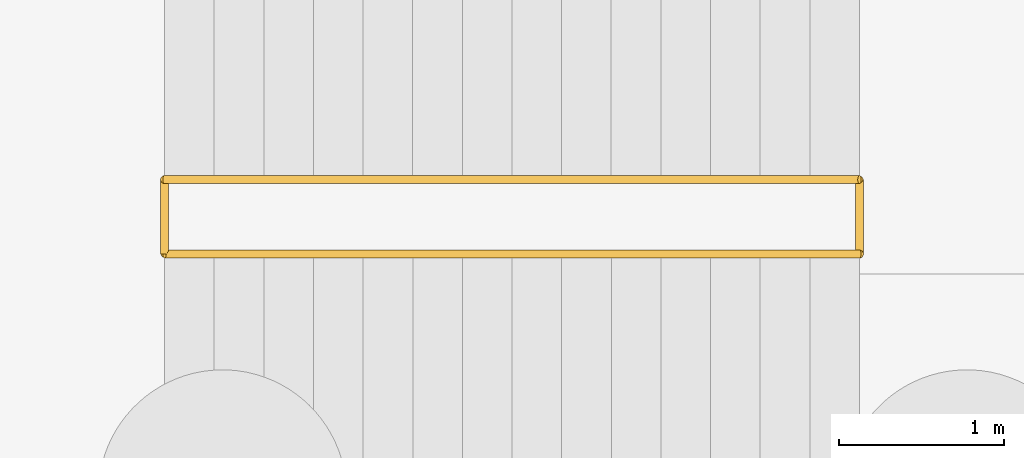
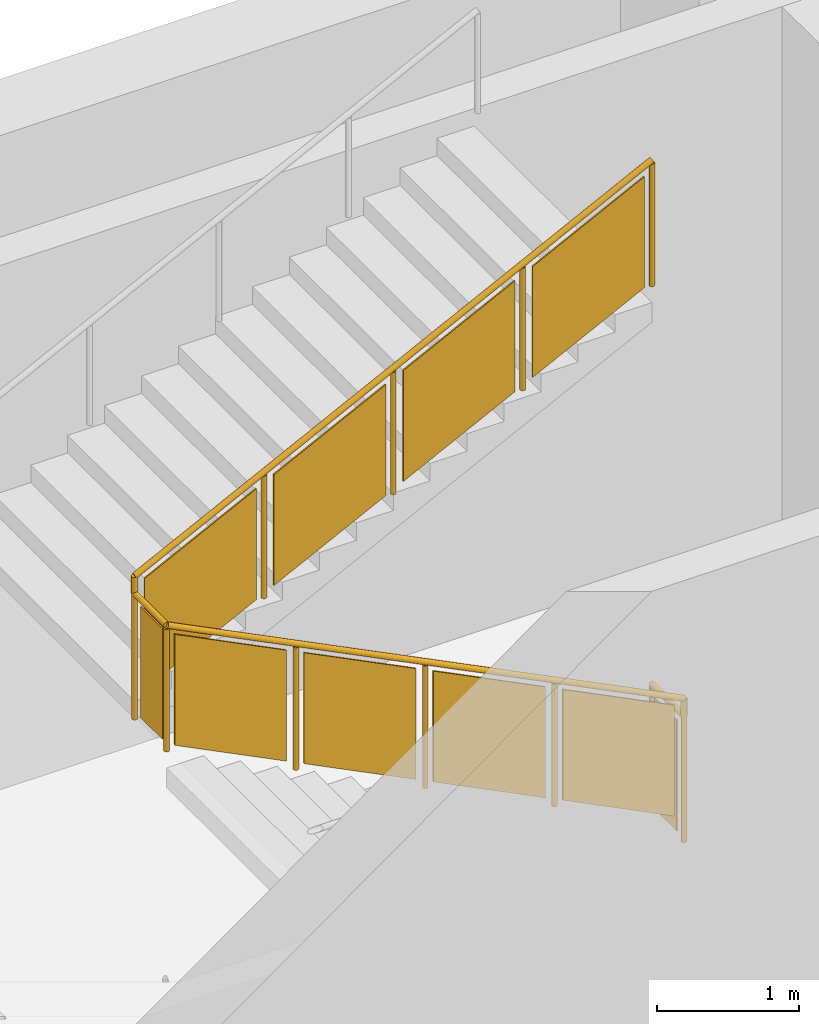
# One storey, part 10 of 11: 1 railing.
"""IFC4 building model written with IfcOpenShell, lengths in metres."""

import ifcopenshell
import ifcopenshell.guid

model = None  # the IFC model being written
_history = None  # IfcOwnerHistory: only IFC2X3 demands one
_inside = {}  # id of a spatial element -> (the spatial element, [elements in it])
_under = {}  # id of a project, library or spatial element -> (it, [spatial elements below it])
_declared = {}  # id of a project -> (the project, [libraries it declares])
_typed = {}  # id of a type object -> (the type object, [elements of that type])
_made_of = {}  # id of a material, layer set ... -> (it, [elements and type objects made of it])


def new_model(schema):
    """Start an empty IFC model of exactly this schema.

    Asked for "IFC4X3", IfcOpenShell would pick the latest addendum, in which some entities
    have other attributes; the version numbers below select the first issue.
    IFC2X3 requires an IfcOwnerHistory on every rooted entity: one is made here for all.
    """
    global model, _history
    if schema == "IFC4X3":
        model = ifcopenshell.file(schema_version=(4, 3, 0, 0))
    else:
        model = ifcopenshell.file(schema=schema)
    _inside.clear()
    _under.clear()
    _declared.clear()
    _typed.clear()
    _made_of.clear()
    _history = None
    if model.schema == "IFC2X3":
        org = make("IfcOrganization", Name="unknown")
        user = make(
            "IfcPersonAndOrganization",
            ThePerson=make("IfcPerson", FamilyName="unknown"),
            TheOrganization=org,
        )
        app = make(
            "IfcApplication",
            ApplicationDeveloper=org,
            Version="unknown",
            ApplicationFullName="unknown",
            ApplicationIdentifier="unknown",
        )
        _history = make(
            "IfcOwnerHistory",
            OwningUser=user,
            OwningApplication=app,
            ChangeAction="ADDED",
            CreationDate=0,
        )
    return model


def make(cls, **values):
    """One entity of the class cls with the attributes given. An attribute that is None is left unset."""
    return model.create_entity(
        cls, **{name: value for name, value in values.items() if value is not None}
    )


def rooted(cls, **values):
    """An entity with a GlobalId (a new one), such as an element, a storey or a relation."""
    return make(cls, GlobalId=ifcopenshell.guid.new(), OwnerHistory=_history, **values)


def si_unit(unit_type, name, prefix=None):
    """IfcSIUnit, for example si_unit("LENGTHUNIT", "METRE", prefix="MILLI")."""
    return make("IfcSIUnit", UnitType=unit_type, Prefix=prefix, Name=name)


def assignment(units):
    """IfcUnitAssignment: the units of a project."""
    return None if units is None else make("IfcUnitAssignment", Units=units)


def point(xyz):
    """IfcCartesianPoint."""
    return None if xyz is None else make("IfcCartesianPoint", Coordinates=xyz)


def direction(xyz):
    """IfcDirection."""
    return None if xyz is None else make("IfcDirection", DirectionRatios=xyz)


def frame(location, z_axis=None, x_axis=None):
    """IfcAxis2Placement3D, a coordinate frame: its origin and axes. An axis left out is left unset."""
    return make(
        "IfcAxis2Placement3D",
        Location=point(location),
        Axis=direction(z_axis),
        RefDirection=direction(x_axis),
    )


def frame_2d(location, x_axis=None):
    """IfcAxis2Placement2D, a coordinate frame in the plane: its origin and x axis."""
    return make(
        "IfcAxis2Placement2D", Location=point(location), RefDirection=direction(x_axis)
    )


def origin():
    """The frame at (0, 0, 0) with its axes left unset."""
    return frame((0.0, 0.0, 0.0))


def origin_2d():
    """The frame at (0, 0) in the plane with its x axis left unset."""
    return frame_2d((0.0, 0.0))


def place(relative_to, where):
    """IfcLocalPlacement: puts the frame where relative to a parent placement (None: the world)."""
    return make(
        "IfcLocalPlacement", PlacementRelTo=relative_to, RelativePlacement=where
    )


def context(
    kind, dimensions, precision=None, world=None, true_north=None, identifier=None
):
    """IfcGeometricRepresentationContext, for example the 3D "Model" context."""
    return make(
        "IfcGeometricRepresentationContext",
        ContextIdentifier=identifier,
        ContextType=kind,
        CoordinateSpaceDimension=dimensions,
        Precision=precision,
        WorldCoordinateSystem=world,
        TrueNorth=true_north,
    )


def subcontext(parent, identifier, kind, view, scale=None):
    """IfcGeometricRepresentationSubContext, for example "Body" below "Model"."""
    return make(
        "IfcGeometricRepresentationSubContext",
        ContextIdentifier=identifier,
        ContextType=kind,
        ParentContext=parent,
        TargetScale=scale,
        TargetView=view,
    )


def project(units=None, contexts=None):
    """IfcProject with its units and contexts."""
    return rooted(
        "IfcProject",
        Name="project",
        RepresentationContexts=contexts,
        UnitsInContext=assignment(units),
    )


def spatial(cls, under=None, at=None, **own):
    """A site, building, storey or space (cls), placed at a placement, below another one or the project."""
    s = rooted(cls, ObjectPlacement=at, **own)
    if under is not None:
        _under.setdefault(under.id(), (under, []))[1].append(s)
    return s


def polyline(points):
    """IfcPolyline through the points."""
    return make("IfcPolyline", Points=[point(p) for p in points])


def profile(cls, at=None, kind="AREA", **sizes):
    """A parametric profile (cls). Its sizes go by their IFC names, for example OverallWidth=200.0."""
    return make(cls, ProfileType=kind, Position=at, **sizes)


def circle(**sizes):
    """IfcCircleProfileDef."""
    return profile("IfcCircleProfileDef", **sizes)


def outline(outer, holes=None, kind="AREA"):
    """IfcArbitraryClosedProfileDef: a profile drawn as a closed curve; with holes, ...WithVoids."""
    if holes is None:
        return make("IfcArbitraryClosedProfileDef", ProfileType=kind, OuterCurve=outer)
    return make(
        "IfcArbitraryProfileDefWithVoids",
        ProfileType=kind,
        OuterCurve=outer,
        InnerCurves=holes,
    )


def extrude(swept, where, along, depth):
    """IfcExtrudedAreaSolid: the profile swept, set in the frame where, extruded along a direction by depth."""
    return make(
        "IfcExtrudedAreaSolid",
        SweptArea=swept,
        Position=where,
        ExtrudedDirection=direction(along),
        Depth=depth,
    )


def shape(context_of_items, identifier, shape_type, items):
    """IfcShapeRepresentation: the items that make up one representation, for example the "Body"."""
    return make(
        "IfcShapeRepresentation",
        ContextOfItems=context_of_items,
        RepresentationIdentifier=identifier,
        RepresentationType=shape_type,
        Items=items,
    )


def material(Name=None, Category=None):
    """IfcMaterial."""
    return make("IfcMaterial", Name=Name, Category=Category)


def made_of(thing, what):
    """Note that an element or type object is made of a material, layer set ...; save() writes the relation."""
    if what is not None:
        _made_of.setdefault(what.id(), (what, []))[1].append(thing)
    return thing


def type_object(cls, material=None, **own):
    """A type object (cls), such as IfcWallType, which elements share."""
    return made_of(rooted(cls, **own), material)


def element(
    cls,
    number,
    at=None,
    inside=None,
    cuts=None,
    type_object=None,
    material=None,
    context=None,
    identifier="Body",
    shape_type=None,
    held_by="IfcProductDefinitionShape",
    body=None,
    shapes=None,
    **own,
):
    """One element of the class cls, such as IfcWall. Its Tag is "e" and its number.

    at: its placement. inside: the storey or other place that contains it. cuts: it is an
    opening in that element (IfcRelVoidsElement). A single representation is given by context,
    identifier, shape_type and body (its items); several are given by shapes. held_by: the class
    of the entity that holds the representations. save() writes the other relations.
    """
    e = rooted(cls, Tag="e%d" % number, ObjectPlacement=at, **own)
    if body is not None:
        shapes = [shape(context, identifier, shape_type, body)]
    if shapes is not None:
        e.Representation = make(held_by, Representations=shapes)
    if inside is not None:
        _inside.setdefault(inside.id(), (inside, []))[1].append(e)
    if cuts is not None:
        rooted(
            "IfcRelVoidsElement", RelatingBuildingElement=cuts, RelatedOpeningElement=e
        )
    if type_object is not None:
        _typed.setdefault(type_object.id(), (type_object, []))[1].append(e)
    return made_of(e, material)


def aggregate(whole, parts):
    """IfcRelAggregates: a whole, such as a stair, and the parts it consists of."""
    return rooted("IfcRelAggregates", RelatingObject=whole, RelatedObjects=parts)


def save(model, path):
    """Write the relations noted so far, then the file.

    IfcRelAggregates (storeys below a building ...), IfcRelContainedInSpatialStructure (elements
    in a storey), IfcRelDefinesByType, IfcRelAssociatesMaterial and IfcRelDeclares: one each for
    every whole, place, type object, material and project.
    """
    for whole, parts in _under.values():
        aggregate(whole, parts)
    for where, things in _inside.values():
        rooted(
            "IfcRelContainedInSpatialStructure",
            RelatedElements=things,
            RelatingStructure=where,
        )
    for kind, things in _typed.values():
        rooted("IfcRelDefinesByType", RelatedObjects=things, RelatingType=kind)
    for what, things in _made_of.values():
        rooted("IfcRelAssociatesMaterial", RelatedObjects=things, RelatingMaterial=what)
    for by, libraries in _declared.values():
        rooted("IfcRelDeclares", RelatingContext=by, RelatedDefinitions=libraries)
    model.write(path)


model = new_model("IFC4")

# Units and contexts
model_context = context("Model", 3, precision=1e-05, world=origin(), true_north=direction((0.0, 1.0)))
body_context = subcontext(model_context, "Body", "Model", "MODEL_VIEW")
ifc_project = project(units=[si_unit("LENGTHUNIT", "METRE"), si_unit("AREAUNIT", "SQUARE_METRE"), si_unit("VOLUMEUNIT", "CUBIC_METRE"), si_unit("PLANEANGLEUNIT", "RADIAN"), si_unit("MASSUNIT", "GRAM", prefix="KILO")], contexts=[model_context])

# Site, building, storey
site_placement = place(None, origin())
site = spatial("IfcSite", under=ifc_project, at=site_placement, CompositionType="ELEMENT")
building_placement = place(site_placement, origin())
building = spatial("IfcBuilding", under=site, at=building_placement, Name="Mashrafa Tower", CompositionType="ELEMENT")
storey_placement = place(building_placement, frame((0.0, 0.0, -9.0)))
storey = spatial("IfcBuildingStorey", under=building, at=storey_placement, Name="B2", CompositionType="ELEMENT", Elevation=-9.0)

# Railing
ifc_material = material(Name="Steel guard with glass infill", Category="steel")
railing_type = type_object("IfcRailingType", Name="Stair guard 1100", PredefinedType="GUARDRAIL", material=ifc_material)
railing_placement = place(storey_placement, frame((-2.89990234375, 31.14990234375, 0.0)))
element("IfcRailing", 1, at=railing_placement, inside=storey, type_object=railing_type, Name="Stair P2 guard B2", PredefinedType="GUARDRAIL", context=body_context, shape_type="SweptSolid", body=[
    extrude(circle(Radius=0.02392578125, at=origin_2d()), frame((0.0, 0.0, 1.076171875), z_axis=(0.0, -1.0, 0.0), x_axis=(1.0, 0.0, 0.0)), (0.0, 0.0, 1.0), 0.449951171875),
    extrude(circle(Radius=0.02392578125, at=origin_2d()), frame((0.0, -0.449951171875, 1.076171875), z_axis=(0.0, 0.0, 1.0), x_axis=(1.0, 0.0, 0.0)), (0.0, 0.0, 1.0), 0.14990234375),
    extrude(circle(Radius=0.02392578125, at=origin_2d()), frame((0.0, -0.449951171875, 1.22607421875), z_axis=(-0.894427191, 0.0, 0.4472135955), x_axis=(0.0, -1.0, 0.0)), (0.0, 0.0, 1.0), 4.696044921875),
    extrude(circle(Radius=0.02392578125, at=origin_2d()), frame((-4.2001953125, -0.449951171875, 3.326171875), z_axis=(0.0, 1.0, 0.0), x_axis=(-1.0, 0.0, 0.0)), (0.0, 0.0, 1.0), 0.449951171875),
    extrude(circle(Radius=0.02392578125, at=origin_2d()), frame((-4.2001953125, 0.0, 3.326171875), z_axis=(0.0, 0.0, 1.0), x_axis=(1.0, 0.0, 0.0)), (0.0, 0.0, 1.0), 0.14990234375),
    extrude(circle(Radius=0.02392578125, at=origin_2d()), frame((-4.2001953125, 0.0, 3.47607421875), z_axis=(0.894427191, 0.0, 0.4472135955), x_axis=(0.0, 1.0, 0.0)), (0.0, 0.0, 1.0), 4.696044921875),
    extrude(circle(Radius=0.02099609375, at=origin_2d()), origin(), (0.0, 0.0, 1.0), 1.052001953125),
    extrude(circle(Radius=0.02099609375, at=origin_2d()), frame((0.0, -0.449951171875, 0.0)), (0.0, 0.0, 1.0), 1.052001953125),
    extrude(circle(Radius=0.02099609375, at=origin_2d()), frame((0.0, -0.449951171875, 0.14990234375)), (0.0, 0.0, 1.0), 1.052001953125),
    extrude(circle(Radius=0.02099609375, at=origin_2d()), frame((-1.050048828125, -0.449951171875, 0.6748046875)), (0.0, 0.0, 1.0), 1.052001953125),
    extrude(circle(Radius=0.02099609375, at=origin_2d()), frame((-2.10009765625, -0.449951171875, 1.199951171875)), (0.0, 0.0, 1.0), 1.052001953125),
    extrude(circle(Radius=0.02099609375, at=origin_2d()), frame((-3.150146484375, -0.449951171875, 1.72509765625)), (0.0, 0.0, 1.0), 1.052001953125),
    extrude(circle(Radius=0.02099609375, at=origin_2d()), frame((-4.2001953125, -0.449951171875, 2.25)), (0.0, 0.0, 1.0), 1.052001953125),
    extrude(circle(Radius=0.02099609375, at=origin_2d()), frame((-4.2001953125, 0.0, 2.25)), (0.0, 0.0, 1.0), 1.052001953125),
    extrude(circle(Radius=0.02099609375, at=origin_2d()), frame((-4.2001953125, 0.0, 2.39990234375)), (0.0, 0.0, 1.0), 1.052001953125),
    extrude(circle(Radius=0.02099609375, at=origin_2d()), frame((-3.150146484375, 0.0, 2.9248046875)), (0.0, 0.0, 1.0), 1.052001953125),
    extrude(circle(Radius=0.02099609375, at=origin_2d()), frame((-2.10009765625, 0.0, 3.449951171875)), (0.0, 0.0, 1.0), 1.052001953125),
    extrude(circle(Radius=0.02099609375, at=origin_2d()), frame((-1.050048828125, 0.0, 3.97509765625)), (0.0, 0.0, 1.0), 1.052001953125),
    extrude(circle(Radius=0.02099609375, at=origin_2d()), frame((0.0, 0.0, 4.5)), (0.0, 0.0, 1.0), 1.052001953125),
    extrude(outline(polyline([(0.071044921875, 0.050048828125), (0.37890625, 0.050048828125), (0.37890625, 1.001953125), (0.071044921875, 1.001953125), (0.071044921875, 0.050048828125)])), frame((-0.006103515625, 0.0, 0.0), z_axis=(-1.0, 0.0, 0.0), x_axis=(0.0, -1.0, 0.0)), (0.0, 0.0, 1.0), 0.011962890625),
    extrude(outline(polyline([(0.071044921875, 0.08544921875), (0.97900390625, 0.53955078125), (0.97900390625, 1.491455078125), (0.071044921875, 1.03759765625), (0.071044921875, 0.08544921875)])), frame((0.0, -0.44384765625, 0.14990234375), z_axis=(0.0, 1.0, 0.0), x_axis=(-1.0, 0.0, 0.0)), (0.0, 0.0, 1.0), 0.011962890625),
    extrude(outline(polyline([(1.12109375, 0.610595703125), (2.029052734375, 1.064453125), (2.029052734375, 2.0166015625), (1.12109375, 1.5625), (1.12109375, 0.610595703125)])), frame((0.0, -0.44384765625, 0.14990234375), z_axis=(0.0, 1.0, 0.0), x_axis=(-1.0, 0.0, 0.0)), (0.0, 0.0, 1.0), 0.011962890625),
    extrude(outline(polyline([(2.171142578125, 1.135498046875), (3.0791015625, 1.589599609375), (3.0791015625, 2.54150390625), (2.171142578125, 2.087646484375), (2.171142578125, 1.135498046875)])), frame((0.0, -0.44384765625, 0.14990234375), z_axis=(0.0, 1.0, 0.0), x_axis=(-1.0, 0.0, 0.0)), (0.0, 0.0, 1.0), 0.011962890625),
    extrude(outline(polyline([(3.22119140625, 1.66064453125), (4.129150390625, 2.114501953125), (4.129150390625, 3.066650390625), (3.22119140625, 2.612548828125), (3.22119140625, 1.66064453125)])), frame((0.0, -0.44384765625, 0.14990234375), z_axis=(0.0, 1.0, 0.0), x_axis=(-1.0, 0.0, 0.0)), (0.0, 0.0, 1.0), 0.011962890625),
    extrude(outline(polyline([(0.071044921875, 0.050048828125), (0.37890625, 0.050048828125), (0.37890625, 1.001953125), (0.071044921875, 1.001953125), (0.071044921875, 0.050048828125)])), frame((-4.194091796875, -0.449951171875, 2.25), z_axis=(1.0, 0.0, 0.0), x_axis=(0.0, 1.0, 0.0)), (0.0, 0.0, 1.0), 0.011962890625),
    extrude(outline(polyline([(0.071044921875, 0.08544921875), (0.97900390625, 0.53955078125), (0.97900390625, 1.491455078125), (0.071044921875, 1.03759765625), (0.071044921875, 0.08544921875)])), frame((-4.2001953125, -0.006103515625, 2.39990234375), z_axis=(0.0, -1.0, 0.0), x_axis=(1.0, 0.0, 0.0)), (0.0, 0.0, 1.0), 0.011962890625),
    extrude(outline(polyline([(1.12109375, 0.610595703125), (2.029052734375, 1.064453125), (2.029052734375, 2.0166015625), (1.12109375, 1.5625), (1.12109375, 0.610595703125)])), frame((-4.2001953125, -0.006103515625, 2.39990234375), z_axis=(0.0, -1.0, 0.0), x_axis=(1.0, 0.0, 0.0)), (0.0, 0.0, 1.0), 0.011962890625),
    extrude(outline(polyline([(2.171142578125, 1.135498046875), (3.0791015625, 1.589599609375), (3.0791015625, 2.54150390625), (2.171142578125, 2.087646484375), (2.171142578125, 1.135498046875)])), frame((-4.2001953125, -0.006103515625, 2.39990234375), z_axis=(0.0, -1.0, 0.0), x_axis=(1.0, 0.0, 0.0)), (0.0, 0.0, 1.0), 0.011962890625),
    extrude(outline(polyline([(3.22119140625, 1.66064453125), (4.129150390625, 2.114501953125), (4.129150390625, 3.066650390625), (3.22119140625, 2.612548828125), (3.22119140625, 1.66064453125)])), frame((-4.2001953125, -0.006103515625, 2.39990234375), z_axis=(0.0, -1.0, 0.0), x_axis=(1.0, 0.0, 0.0)), (0.0, 0.0, 1.0), 0.011962890625),
])

save(model, "model.ifc")
